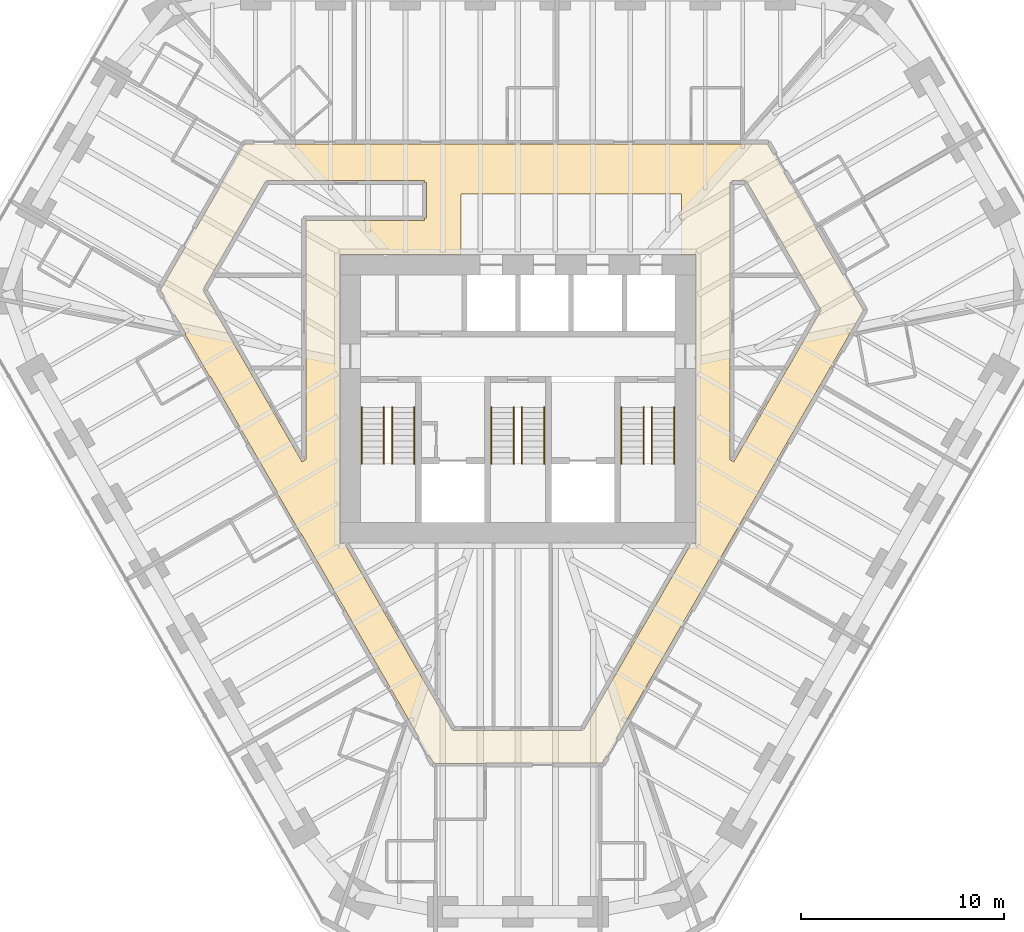
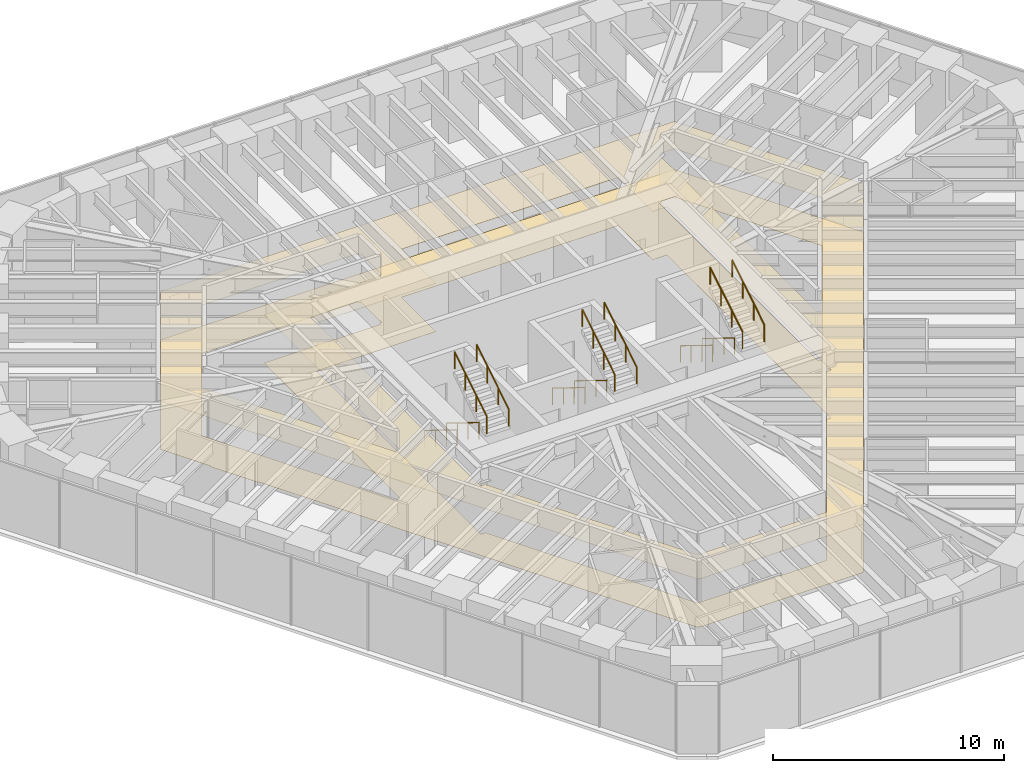
# One storey, part 16 of 16: 12 railings, 2 coverings.
"""IFC4 building model written with IfcOpenShell, lengths in metres."""

from ifc_helpers import new_model, si_unit, direction, frame, origin, origin_2d, place, context, subcontext, project, spatial, polyline, circle, outline, extrude, material, layer, layer_set, type_object, element, save


model = new_model("IFC4")

# Units and contexts
model_context = context("Model", 3, precision=1e-05, world=origin(), true_north=direction((0.0, 1.0)))
body_context = subcontext(model_context, "Body", "Model", "MODEL_VIEW")
ifc_project = project(units=[si_unit("LENGTHUNIT", "METRE"), si_unit("AREAUNIT", "SQUARE_METRE"), si_unit("VOLUMEUNIT", "CUBIC_METRE"), si_unit("PLANEANGLEUNIT", "RADIAN"), si_unit("MASSUNIT", "GRAM", prefix="KILO")], contexts=[model_context])

# Site, building, storey
site_placement = place(None, origin())
site = spatial("IfcSite", under=ifc_project, at=site_placement, CompositionType="ELEMENT")
building_placement = place(site_placement, origin())
building = spatial("IfcBuilding", under=site, at=building_placement, Name="Sandreach Pilgrim Tower", CompositionType="ELEMENT")
storey_placement = place(building_placement, frame((0.0, 0.0, 202.199951171875)))
storey = spatial("IfcBuildingStorey", under=building, at=storey_placement, Name="L50", CompositionType="ELEMENT", Elevation=202.199951171875)

# Coverings
ifc_material_1 = material(Name="Nylon carpet tile on the slab", Category="textile")
ifc_layer_1 = layer(ifc_material_1, 0.008056640625)
ifc_layer_set_1 = layer_set([ifc_layer_1], Name="Carpet tile")
covering_type_1 = type_object("IfcCoveringType", Name="Carpet tile", PredefinedType="FLOORING", material=ifc_layer_set_1)
covering_1_placement = place(storey_placement, origin())
element("IfcCovering", 1, at=covering_1_placement, inside=storey, type_object=covering_type_1, Name="Floor finish 50C Corridor 50", PredefinedType="FLOORING", context=body_context, shape_type="SweptSolid", body=[
    extrude(outline(polyline([(-13.445068359375, 12.56005859375), (12.292236328125, 12.56005859375), (17.0244140625, 4.369873046875), (4.15234375, -17.929931640625), (-1.60009765625, -17.929931640625), (-1.60009765625, -17.9580078125), (-4.050048828125, -17.969970703125), (-4.050048828125, -17.929931640625), (-4.15234375, -17.929931640625), (-10.643310546875, -6.68994140625), (-10.66357421875, -6.70166015625), (-11.8681640625, -4.624267578125), (-11.843505859375, -4.610107421875), (-15.143310546875, 1.10986328125), (-15.180908203125, 1.08837890625), (-16.387939453125, 3.169921875), (-16.353271484375, 3.189697265625), (-17.60302734375, 5.366943359375), (-13.445068359375, 12.56005859375)]), holes=[polyline([(10.449951171875, 10.659912109375), (10.449951171875, -2.9921875), (10.63671875, -3.10009765625), (14.945556640625, 4.370361328125), (11.247802734375, 10.760009765625), (10.56005859375, 10.760009765625), (10.56005859375, 10.66015625), (10.449951171875, 10.659912109375)]), polyline([(-3.227783203125, -16.330078125), (3.227783203125, -16.330078125), (8.542724609375, -7.1201171875), (8.77001953125, -7.1201171875), (8.77001953125, 7.1201171875), (8.050048828125, 7.1201171875), (8.050048828125, 10.10009765625), (-2.800048828125, 10.10009765625), (-2.800048828125, 7.1201171875), (-8.77001953125, 7.1201171875), (-8.77001953125, -7.1201171875), (-8.542724609375, -7.1201171875), (-3.227783203125, -16.330078125)]), polyline([(-15.525634765625, 5.370361328125), (-10.636474609375, -3.10009765625), (-10.449951171875, -2.9921875), (-10.449951171875, 8.800048828125), (-4.60009765625, 8.800048828125), (-4.60009765625, 8.909912109375), (-4.5, 8.909912109375), (-4.5, 10.64990234375), (-4.60009765625, 10.64990234375), (-4.60009765625, 10.760009765625), (-12.40771484375, 10.760009765625), (-15.525634765625, 5.370361328125)])]), origin(), (0.0, 0.0, 1.0), 0.008056640625),
])
ifc_material_2 = material(Name="Gypsum board suspended ceiling on a steel grid", Category="steel")
ifc_layer_2 = layer(ifc_material_2, 0.012939453125)
ifc_layer_set_2 = layer_set([ifc_layer_2], Name="Gypsum board suspended ceiling")
covering_type_2 = type_object("IfcCoveringType", Name="Gypsum board suspended ceiling", PredefinedType="CEILING", material=ifc_layer_set_2)
covering_2_placement = place(storey_placement, frame((0.0, 0.0, 2.550048828125)))
element("IfcCovering", 2, at=covering_2_placement, inside=storey, type_object=covering_type_2, Name="Ceiling 50C Corridor 50", PredefinedType="CEILING", context=body_context, shape_type="SweptSolid", body=[
    extrude(outline(polyline([(-13.445068359375, 12.56005859375), (12.292236328125, 12.56005859375), (17.0244140625, 4.369873046875), (4.15234375, -17.929931640625), (-1.60009765625, -17.929931640625), (-1.60009765625, -17.9580078125), (-4.050048828125, -17.969970703125), (-4.050048828125, -17.929931640625), (-4.15234375, -17.929931640625), (-10.643310546875, -6.68994140625), (-10.66357421875, -6.70166015625), (-11.8681640625, -4.624267578125), (-11.843505859375, -4.610107421875), (-15.143310546875, 1.10986328125), (-15.180908203125, 1.08837890625), (-16.387939453125, 3.169921875), (-16.353271484375, 3.189697265625), (-17.60302734375, 5.366943359375), (-13.445068359375, 12.56005859375)]), holes=[polyline([(10.449951171875, 10.659912109375), (10.449951171875, -2.9921875), (10.63671875, -3.10009765625), (14.945556640625, 4.370361328125), (11.247802734375, 10.760009765625), (10.56005859375, 10.760009765625), (10.56005859375, 10.66015625), (10.449951171875, 10.659912109375)]), polyline([(-3.227783203125, -16.330078125), (3.227783203125, -16.330078125), (8.542724609375, -7.1201171875), (8.77001953125, -7.1201171875), (8.77001953125, 7.1201171875), (8.050048828125, 7.1201171875), (8.050048828125, 10.10009765625), (-2.800048828125, 10.10009765625), (-2.800048828125, 7.1201171875), (-8.77001953125, 7.1201171875), (-8.77001953125, -7.1201171875), (-8.542724609375, -7.1201171875), (-3.227783203125, -16.330078125)]), polyline([(-15.525634765625, 5.370361328125), (-10.636474609375, -3.10009765625), (-10.449951171875, -2.9921875), (-10.449951171875, 8.800048828125), (-4.60009765625, 8.800048828125), (-4.60009765625, 8.909912109375), (-4.5, 8.909912109375), (-4.5, 10.64990234375), (-4.60009765625, 10.64990234375), (-4.60009765625, 10.760009765625), (-12.40771484375, 10.760009765625), (-15.525634765625, 5.370361328125)])]), origin(), (0.0, 0.0, 1.0), 0.012939453125),
])

# Railings
ifc_material_3 = material(Name="Stainless steel tube", Category="steel")
railing_type = type_object("IfcRailingType", Name="Stair handrail", PredefinedType="HANDRAIL", material=ifc_material_3)
for number, where, name in (
    (3, (-6.60009765625, -0.39990234375, 0.1728515625), "Handrail ST1 L50 flight 1"),
    (4, (-7.699951171875, -0.39990234375, 0.1728515625), "Handrail ST1 L50 flight 1"),
):
    element("IfcRailing", number, at=place(storey_placement, frame(where)), inside=storey, type_object=railing_type, Name=name, PredefinedType="HANDRAIL", context=body_context, shape_type="SweptSolid", body=[
        extrude(circle(Radius=0.02392578125, at=origin_2d()), frame((0.0, 0.0, 0.8759765625), z_axis=(0.0, -0.851089632645, 0.525020415988), x_axis=(1.0, 0.0, 0.0)), (0.0, 0.0, 1.0), 3.2900390625),
        extrude(circle(Radius=0.02099609375, at=origin_2d()), origin(), (0.0, 0.0, 1.0), 0.851806640625),
        extrude(circle(Radius=0.02099609375, at=origin_2d()), frame((0.0, -0.933349609375, 0.57568359375)), (0.0, 0.0, 1.0), 0.851806640625),
        extrude(circle(Radius=0.02099609375, at=origin_2d()), frame((0.0, -1.86669921875, 1.151611328125)), (0.0, 0.0, 1.0), 0.851806640625),
        extrude(circle(Radius=0.02099609375, at=origin_2d()), frame((0.0, -2.800048828125, 1.727294921875)), (0.0, 0.0, 1.0), 0.851806640625),
    ])
for number, where, name in (
    (5, (-6.199951171875, -3.199951171875, 2.07275390625), "Handrail ST1 L50 flight 2"),
    (6, (-5.10009765625, -3.199951171875, 2.07275390625), "Handrail ST1 L50 flight 2"),
):
    element("IfcRailing", number, at=place(storey_placement, frame(where)), inside=storey, type_object=railing_type, Name=name, PredefinedType="HANDRAIL", context=body_context, shape_type="SweptSolid", body=[
        extrude(circle(Radius=0.02392578125, at=origin_2d()), frame((0.0, 0.0, 0.8759765625), z_axis=(0.0, 0.851089632645, 0.525020415988), x_axis=(-1.0, 0.0, 0.0)), (0.0, 0.0, 1.0), 3.2900390625),
        extrude(circle(Radius=0.02099609375, at=origin_2d()), origin(), (0.0, 0.0, 1.0), 0.851806640625),
        extrude(circle(Radius=0.02099609375, at=origin_2d()), frame((0.0, 0.933349609375, 0.57568359375)), (0.0, 0.0, 1.0), 0.851806640625),
        extrude(circle(Radius=0.02099609375, at=origin_2d()), frame((0.0, 1.86669921875, 1.151611328125)), (0.0, 0.0, 1.0), 0.851806640625),
        extrude(circle(Radius=0.02099609375, at=origin_2d()), frame((0.0, 2.800048828125, 1.727294921875)), (0.0, 0.0, 1.0), 0.851806640625),
    ])
for number, where, name in (
    (7, (-0.199951171875, -0.39990234375, 0.1728515625), "Handrail ST3 L50 flight 1"),
    (8, (-1.300048828125, -0.39990234375, 0.1728515625), "Handrail ST3 L50 flight 1"),
):
    element("IfcRailing", number, at=place(storey_placement, frame(where)), inside=storey, type_object=railing_type, Name=name, PredefinedType="HANDRAIL", context=body_context, shape_type="SweptSolid", body=[
        extrude(circle(Radius=0.02392578125, at=origin_2d()), frame((0.0, 0.0, 0.8759765625), z_axis=(0.0, -0.851089632645, 0.525020415988), x_axis=(1.0, 0.0, 0.0)), (0.0, 0.0, 1.0), 3.2900390625),
        extrude(circle(Radius=0.02099609375, at=origin_2d()), origin(), (0.0, 0.0, 1.0), 0.851806640625),
        extrude(circle(Radius=0.02099609375, at=origin_2d()), frame((0.0, -0.933349609375, 0.57568359375)), (0.0, 0.0, 1.0), 0.851806640625),
        extrude(circle(Radius=0.02099609375, at=origin_2d()), frame((0.0, -1.86669921875, 1.151611328125)), (0.0, 0.0, 1.0), 0.851806640625),
        extrude(circle(Radius=0.02099609375, at=origin_2d()), frame((0.0, -2.800048828125, 1.727294921875)), (0.0, 0.0, 1.0), 0.851806640625),
    ])
for number, where, name in (
    (9, (0.199951171875, -3.199951171875, 2.07275390625), "Handrail ST3 L50 flight 2"),
    (10, (1.300048828125, -3.199951171875, 2.07275390625), "Handrail ST3 L50 flight 2"),
):
    element("IfcRailing", number, at=place(storey_placement, frame(where)), inside=storey, type_object=railing_type, Name=name, PredefinedType="HANDRAIL", context=body_context, shape_type="SweptSolid", body=[
        extrude(circle(Radius=0.02392578125, at=origin_2d()), frame((0.0, 0.0, 0.8759765625), z_axis=(0.0, 0.851089632645, 0.525020415988), x_axis=(-1.0, 0.0, 0.0)), (0.0, 0.0, 1.0), 3.2900390625),
        extrude(circle(Radius=0.02099609375, at=origin_2d()), origin(), (0.0, 0.0, 1.0), 0.851806640625),
        extrude(circle(Radius=0.02099609375, at=origin_2d()), frame((0.0, 0.933349609375, 0.57568359375)), (0.0, 0.0, 1.0), 0.851806640625),
        extrude(circle(Radius=0.02099609375, at=origin_2d()), frame((0.0, 1.86669921875, 1.151611328125)), (0.0, 0.0, 1.0), 0.851806640625),
        extrude(circle(Radius=0.02099609375, at=origin_2d()), frame((0.0, 2.800048828125, 1.727294921875)), (0.0, 0.0, 1.0), 0.851806640625),
    ])
for number, where, name in (
    (11, (6.199951171875, -0.39990234375, 0.1728515625), "Handrail ST2 L50 flight 1"),
    (12, (5.10009765625, -0.39990234375, 0.1728515625), "Handrail ST2 L50 flight 1"),
):
    element("IfcRailing", number, at=place(storey_placement, frame(where)), inside=storey, type_object=railing_type, Name=name, PredefinedType="HANDRAIL", context=body_context, shape_type="SweptSolid", body=[
        extrude(circle(Radius=0.02392578125, at=origin_2d()), frame((0.0, 0.0, 0.8759765625), z_axis=(0.0, -0.851089632645, 0.525020415988), x_axis=(1.0, 0.0, 0.0)), (0.0, 0.0, 1.0), 3.2900390625),
        extrude(circle(Radius=0.02099609375, at=origin_2d()), origin(), (0.0, 0.0, 1.0), 0.851806640625),
        extrude(circle(Radius=0.02099609375, at=origin_2d()), frame((0.0, -0.933349609375, 0.57568359375)), (0.0, 0.0, 1.0), 0.851806640625),
        extrude(circle(Radius=0.02099609375, at=origin_2d()), frame((0.0, -1.86669921875, 1.151611328125)), (0.0, 0.0, 1.0), 0.851806640625),
        extrude(circle(Radius=0.02099609375, at=origin_2d()), frame((0.0, -2.800048828125, 1.727294921875)), (0.0, 0.0, 1.0), 0.851806640625),
    ])
for number, where, name in (
    (13, (6.60009765625, -3.199951171875, 2.07275390625), "Handrail ST2 L50 flight 2"),
    (14, (7.699951171875, -3.199951171875, 2.07275390625), "Handrail ST2 L50 flight 2"),
):
    element("IfcRailing", number, at=place(storey_placement, frame(where)), inside=storey, type_object=railing_type, Name=name, PredefinedType="HANDRAIL", context=body_context, shape_type="SweptSolid", body=[
        extrude(circle(Radius=0.02392578125, at=origin_2d()), frame((0.0, 0.0, 0.8759765625), z_axis=(0.0, 0.851089632645, 0.525020415988), x_axis=(-1.0, 0.0, 0.0)), (0.0, 0.0, 1.0), 3.2900390625),
        extrude(circle(Radius=0.02099609375, at=origin_2d()), origin(), (0.0, 0.0, 1.0), 0.851806640625),
        extrude(circle(Radius=0.02099609375, at=origin_2d()), frame((0.0, 0.933349609375, 0.57568359375)), (0.0, 0.0, 1.0), 0.851806640625),
        extrude(circle(Radius=0.02099609375, at=origin_2d()), frame((0.0, 1.86669921875, 1.151611328125)), (0.0, 0.0, 1.0), 0.851806640625),
        extrude(circle(Radius=0.02099609375, at=origin_2d()), frame((0.0, 2.800048828125, 1.727294921875)), (0.0, 0.0, 1.0), 0.851806640625),
    ])

save(model, "model.ifc")
